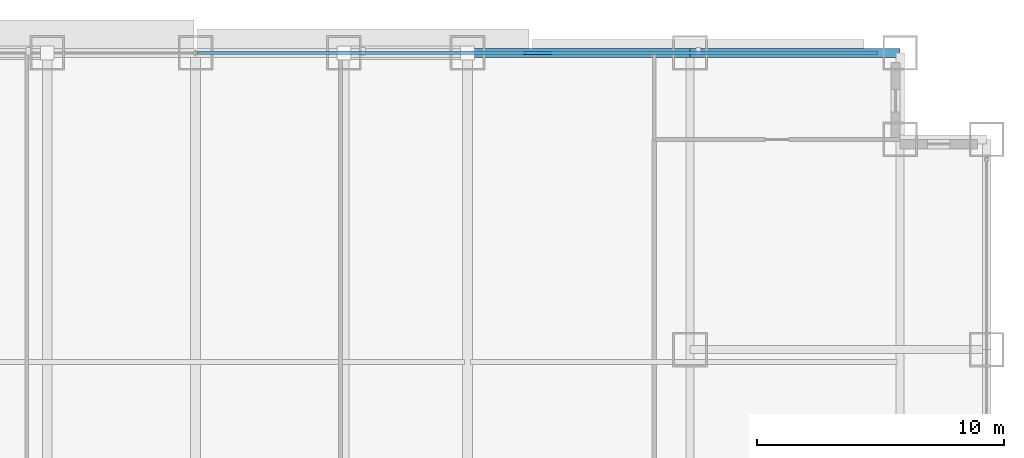
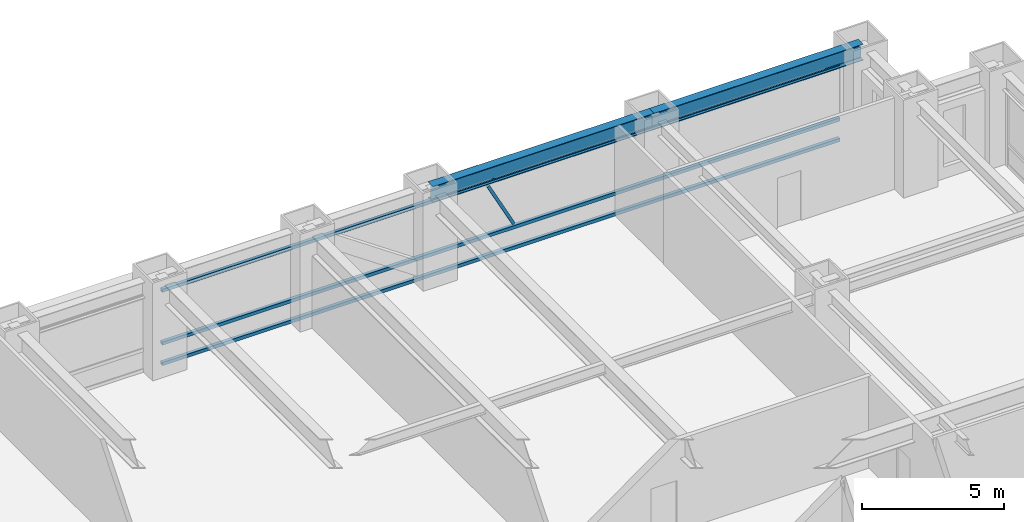
# One storey, part 20 of 32: 4 members, 2 beams, 1 element without a shape of its own.
"""IFC4 building model written with IfcOpenShell, lengths in metres."""

import ifcopenshell
import ifcopenshell.guid

model = None  # the IFC model being written
_history = None  # IfcOwnerHistory: only IFC2X3 demands one
_inside = {}  # id of a spatial element -> (the spatial element, [elements in it])
_under = {}  # id of a project, library or spatial element -> (it, [spatial elements below it])
_declared = {}  # id of a project -> (the project, [libraries it declares])
_typed = {}  # id of a type object -> (the type object, [elements of that type])
_made_of = {}  # id of a material, layer set ... -> (it, [elements and type objects made of it])


def new_model(schema):
    """Start an empty IFC model of exactly this schema.

    Asked for "IFC4X3", IfcOpenShell would pick the latest addendum, in which some entities
    have other attributes; the version numbers below select the first issue.
    IFC2X3 requires an IfcOwnerHistory on every rooted entity: one is made here for all.
    """
    global model, _history
    if schema == "IFC4X3":
        model = ifcopenshell.file(schema_version=(4, 3, 0, 0))
    else:
        model = ifcopenshell.file(schema=schema)
    _inside.clear()
    _under.clear()
    _declared.clear()
    _typed.clear()
    _made_of.clear()
    _history = None
    if model.schema == "IFC2X3":
        org = make("IfcOrganization", Name="unknown")
        user = make(
            "IfcPersonAndOrganization",
            ThePerson=make("IfcPerson", FamilyName="unknown"),
            TheOrganization=org,
        )
        app = make(
            "IfcApplication",
            ApplicationDeveloper=org,
            Version="unknown",
            ApplicationFullName="unknown",
            ApplicationIdentifier="unknown",
        )
        _history = make(
            "IfcOwnerHistory",
            OwningUser=user,
            OwningApplication=app,
            ChangeAction="ADDED",
            CreationDate=0,
        )
    return model


def make(cls, **values):
    """One entity of the class cls with the attributes given. An attribute that is None is left unset."""
    return model.create_entity(
        cls, **{name: value for name, value in values.items() if value is not None}
    )


def rooted(cls, **values):
    """An entity with a GlobalId (a new one), such as an element, a storey or a relation."""
    return make(cls, GlobalId=ifcopenshell.guid.new(), OwnerHistory=_history, **values)


def si_unit(unit_type, name, prefix=None):
    """IfcSIUnit, for example si_unit("LENGTHUNIT", "METRE", prefix="MILLI")."""
    return make("IfcSIUnit", UnitType=unit_type, Prefix=prefix, Name=name)


def assignment(units):
    """IfcUnitAssignment: the units of a project."""
    return None if units is None else make("IfcUnitAssignment", Units=units)


def point(xyz):
    """IfcCartesianPoint."""
    return None if xyz is None else make("IfcCartesianPoint", Coordinates=xyz)


def direction(xyz):
    """IfcDirection."""
    return None if xyz is None else make("IfcDirection", DirectionRatios=xyz)


def frame(location, z_axis=None, x_axis=None):
    """IfcAxis2Placement3D, a coordinate frame: its origin and axes. An axis left out is left unset."""
    return make(
        "IfcAxis2Placement3D",
        Location=point(location),
        Axis=direction(z_axis),
        RefDirection=direction(x_axis),
    )


def frame_2d(location, x_axis=None):
    """IfcAxis2Placement2D, a coordinate frame in the plane: its origin and x axis."""
    return make(
        "IfcAxis2Placement2D", Location=point(location), RefDirection=direction(x_axis)
    )


def origin():
    """The frame at (0, 0, 0) with its axes left unset."""
    return frame((0.0, 0.0, 0.0))


def origin_2d():
    """The frame at (0, 0) in the plane with its x axis left unset."""
    return frame_2d((0.0, 0.0))


def place(relative_to, where):
    """IfcLocalPlacement: puts the frame where relative to a parent placement (None: the world)."""
    return make(
        "IfcLocalPlacement", PlacementRelTo=relative_to, RelativePlacement=where
    )


def context(
    kind, dimensions, precision=None, world=None, true_north=None, identifier=None
):
    """IfcGeometricRepresentationContext, for example the 3D "Model" context."""
    return make(
        "IfcGeometricRepresentationContext",
        ContextIdentifier=identifier,
        ContextType=kind,
        CoordinateSpaceDimension=dimensions,
        Precision=precision,
        WorldCoordinateSystem=world,
        TrueNorth=true_north,
    )


def subcontext(parent, identifier, kind, view, scale=None):
    """IfcGeometricRepresentationSubContext, for example "Body" below "Model"."""
    return make(
        "IfcGeometricRepresentationSubContext",
        ContextIdentifier=identifier,
        ContextType=kind,
        ParentContext=parent,
        TargetScale=scale,
        TargetView=view,
    )


def project(units=None, contexts=None):
    """IfcProject with its units and contexts."""
    return rooted(
        "IfcProject",
        Name="project",
        RepresentationContexts=contexts,
        UnitsInContext=assignment(units),
    )


def spatial(cls, under=None, at=None, **own):
    """A site, building, storey or space (cls), placed at a placement, below another one or the project."""
    s = rooted(cls, ObjectPlacement=at, **own)
    if under is not None:
        _under.setdefault(under.id(), (under, []))[1].append(s)
    return s


def profile(cls, at=None, kind="AREA", **sizes):
    """A parametric profile (cls). Its sizes go by their IFC names, for example OverallWidth=200.0."""
    return make(cls, ProfileType=kind, Position=at, **sizes)


def hollow_rectangle(**sizes):
    """IfcRectangleHollowProfileDef."""
    return profile("IfcRectangleHollowProfileDef", **sizes)


def i_section(**sizes):
    """IfcIShapeProfileDef."""
    return profile("IfcIShapeProfileDef", **sizes)


def extrude(swept, where, along, depth):
    """IfcExtrudedAreaSolid: the profile swept, set in the frame where, extruded along a direction by depth."""
    return make(
        "IfcExtrudedAreaSolid",
        SweptArea=swept,
        Position=where,
        ExtrudedDirection=direction(along),
        Depth=depth,
    )


def shape(context_of_items, identifier, shape_type, items):
    """IfcShapeRepresentation: the items that make up one representation, for example the "Body"."""
    return make(
        "IfcShapeRepresentation",
        ContextOfItems=context_of_items,
        RepresentationIdentifier=identifier,
        RepresentationType=shape_type,
        Items=items,
    )


def source(mapping_origin, context_of_items, identifier, shape_type, items):
    """IfcRepresentationMap: a shape defined once, which mapped items show again and again."""
    return make(
        "IfcRepresentationMap",
        MappingOrigin=mapping_origin,
        MappedRepresentation=shape(context_of_items, identifier, shape_type, items),
    )


def transform(
    local_origin,
    x_axis=None,
    y_axis=None,
    z_axis=None,
    scale=None,
    scale2=None,
    scale3=None,
    uniform=True,
):
    """IfcCartesianTransformationOperator3D, or its non-uniform kind. x_axis, y_axis, z_axis: its Axis1, 2, 3."""
    if uniform:
        return make(
            "IfcCartesianTransformationOperator3D",
            Axis1=direction(x_axis),
            Axis2=direction(y_axis),
            LocalOrigin=point(local_origin),
            Scale=scale,
            Axis3=direction(z_axis),
        )
    return make(
        "IfcCartesianTransformationOperator3DnonUniform",
        Axis1=direction(x_axis),
        Axis2=direction(y_axis),
        LocalOrigin=point(local_origin),
        Scale=scale,
        Axis3=direction(z_axis),
        Scale2=scale2,
        Scale3=scale3,
    )


def mapped(mapping_source, mapping_target):
    """IfcMappedItem: shows the shape of a source again, moved by a transform."""
    return make(
        "IfcMappedItem", MappingSource=mapping_source, MappingTarget=mapping_target
    )


def material(Name=None, Category=None):
    """IfcMaterial."""
    return make("IfcMaterial", Name=Name, Category=Category)


def material_profile(
    of_material, cross_section, Name=None, Category=None, Priority=None
):
    """IfcMaterialProfile: a cross section and its material."""
    return make(
        "IfcMaterialProfile",
        Name=Name,
        Material=of_material,
        Profile=cross_section,
        Priority=Priority,
        Category=Category,
    )


def profile_set(profiles, Name=None, composite=None):
    """IfcMaterialProfileSet."""
    return make(
        "IfcMaterialProfileSet",
        Name=Name,
        MaterialProfiles=profiles,
        CompositeProfile=composite,
    )


def made_of(thing, what):
    """Note that an element or type object is made of a material, layer set ...; save() writes the relation."""
    if what is not None:
        _made_of.setdefault(what.id(), (what, []))[1].append(thing)
    return thing


def type_object(cls, material=None, **own):
    """A type object (cls), such as IfcWallType, which elements share."""
    return made_of(rooted(cls, **own), material)


def element(
    cls,
    number,
    at=None,
    inside=None,
    cuts=None,
    type_object=None,
    material=None,
    context=None,
    identifier="Body",
    shape_type=None,
    held_by="IfcProductDefinitionShape",
    body=None,
    shapes=None,
    **own,
):
    """One element of the class cls, such as IfcWall. Its Tag is "e" and its number.

    at: its placement. inside: the storey or other place that contains it. cuts: it is an
    opening in that element (IfcRelVoidsElement). A single representation is given by context,
    identifier, shape_type and body (its items); several are given by shapes. held_by: the class
    of the entity that holds the representations. save() writes the other relations.
    """
    e = rooted(cls, Tag="e%d" % number, ObjectPlacement=at, **own)
    if body is not None:
        shapes = [shape(context, identifier, shape_type, body)]
    if shapes is not None:
        e.Representation = make(held_by, Representations=shapes)
    if inside is not None:
        _inside.setdefault(inside.id(), (inside, []))[1].append(e)
    if cuts is not None:
        rooted(
            "IfcRelVoidsElement", RelatingBuildingElement=cuts, RelatedOpeningElement=e
        )
    if type_object is not None:
        _typed.setdefault(type_object.id(), (type_object, []))[1].append(e)
    return made_of(e, material)


def aggregate(whole, parts):
    """IfcRelAggregates: a whole, such as a stair, and the parts it consists of."""
    return rooted("IfcRelAggregates", RelatingObject=whole, RelatedObjects=parts)


def save(model, path):
    """Write the relations noted so far, then the file.

    IfcRelAggregates (storeys below a building ...), IfcRelContainedInSpatialStructure (elements
    in a storey), IfcRelDefinesByType, IfcRelAssociatesMaterial and IfcRelDeclares: one each for
    every whole, place, type object, material and project.
    """
    for whole, parts in _under.values():
        aggregate(whole, parts)
    for where, things in _inside.values():
        rooted(
            "IfcRelContainedInSpatialStructure",
            RelatedElements=things,
            RelatingStructure=where,
        )
    for kind, things in _typed.values():
        rooted("IfcRelDefinesByType", RelatedObjects=things, RelatingType=kind)
    for what, things in _made_of.values():
        rooted("IfcRelAssociatesMaterial", RelatedObjects=things, RelatingMaterial=what)
    for by, libraries in _declared.values():
        rooted("IfcRelDeclares", RelatingContext=by, RelatedDefinitions=libraries)
    model.write(path)


model = new_model("IFC4")

# Units and contexts
model_context = context("Model", 3, precision=1e-05, world=origin(), true_north=direction((0.0, 1.0)))
body_context = subcontext(model_context, "Body", "Model", "MODEL_VIEW")
ifc_project = project(units=[si_unit("LENGTHUNIT", "METRE"), si_unit("AREAUNIT", "SQUARE_METRE"), si_unit("VOLUMEUNIT", "CUBIC_METRE"), si_unit("PLANEANGLEUNIT", "RADIAN"), si_unit("MASSUNIT", "GRAM", prefix="KILO")], contexts=[model_context])

# Site, building, storey
site_placement = place(None, origin())
site = spatial("IfcSite", under=ifc_project, at=site_placement, CompositionType="ELEMENT")
building_placement = place(site_placement, origin())
building = spatial("IfcBuilding", under=site, at=building_placement, Name="Khorayat Bourse Tower", CompositionType="ELEMENT")
storey_placement = place(building_placement, frame((0.0, 0.0, 70.39990234375)))
storey = spatial("IfcBuildingStorey", under=building, at=storey_placement, Name="L15", CompositionType="ELEMENT", Elevation=70.39990234375)

# Beams
ifc_material_1 = material(Name="Steel ASTM A992 Grade 50", Category="steel")
ifc_material_profile_1 = material_profile(ifc_material_1, i_section(OverallWidth=0.35498046875, OverallDepth=0.695068359375, WebThickness=0.015380859375, FlangeThickness=0.02490234375, FilletRadius=0.01806640625, at=origin_2d()), Name="W690X217")
ifc_profile_set_1 = profile_set([ifc_material_profile_1], Name="Steel ASTM A992 Grade 50")
beam_type = type_object("IfcBeamType", Name="BM-SPAN-690", PredefinedType="SPANDREL", material=ifc_profile_set_1)
shared_shape_1 = source(origin(), body_context, "Body", "SweptSolid", [
    extrude(i_section(OverallWidth=0.35498046875, OverallDepth=0.695068359375, WebThickness=0.015380859375, FlangeThickness=0.02490234375, FilletRadius=0.01806640625, at=origin_2d()), origin(), (0.0, 0.0, 1.0), 8.5),
])
beam_1_placement = place(storey_placement, frame((20.0, 32.0, 3.592529296875), z_axis=(1.0, 0.0, 0.0), x_axis=(0.0, 1.0, 0.0)))
element("IfcBeam", 1, at=beam_1_placement, inside=storey, type_object=beam_type, Name="L15 BM-SPAN-690 BM-L15-SPN-044", PredefinedType="SPANDREL", context=body_context, shape_type="MappedRepresentation", body=[
    mapped(shared_shape_1, transform((0.0, 0.0, 0.0), scale=1.0)),
])
shared_shape_2 = source(origin(), body_context, "Body", "SweptSolid", [
    extrude(i_section(OverallWidth=0.35498046875, OverallDepth=0.695068359375, WebThickness=0.015380859375, FlangeThickness=0.02490234375, FilletRadius=0.01806640625, at=origin_2d()), origin(), (0.0, 0.0, 1.0), 9.0),
])
beam_2_placement = place(storey_placement, frame((11.0, 32.0, 3.592529296875), z_axis=(1.0, 0.0, 0.0), x_axis=(0.0, 1.0, 0.0)))
element("IfcBeam", 2, at=beam_2_placement, inside=storey, type_object=beam_type, Name="L15 BM-SPAN-690 BM-L15-SPN-045", PredefinedType="SPANDREL", context=body_context, shape_type="MappedRepresentation", body=[
    mapped(shared_shape_2, transform((0.0, 0.0, 0.0), scale=1.0)),
])

# Curtain wall, members
ifc_material_2 = material(Name="Aluminium EN AW-6063 T6", Category="aluminium")
curtain_wall_type = type_object("IfcCurtainWallType", Name="CW-SYS-02", PredefinedType="NOTDEFINED", material=ifc_material_2)
curtain_wall_placement = place(storey_placement, origin())
curtain_wall = element("IfcCurtainWall", 3, at=curtain_wall_placement, inside=storey, type_object=curtain_wall_type, Name="L15 Curtain Wall CW-L15-N1", PredefinedType="NOTDEFINED")
ifc_material_profile_2 = material_profile(ifc_material_2, hollow_rectangle(XDim=0.1201171875, YDim=0.1201171875, WallThickness=0.0048828125, at=origin_2d()), Name="ALU 120x120x5")
ifc_profile_set_2 = profile_set([ifc_material_profile_2], Name="Aluminium EN AW-6063 T6")
member_type_1 = type_object("IfcMemberType", Name="CWM-DIAG-120", PredefinedType="MULLION", material=ifc_profile_set_2)
shared_shape_3 = source(origin(), body_context, "Body", "SweptSolid", [
    extrude(hollow_rectangle(XDim=0.1201171875, YDim=0.1201171875, WallThickness=0.0048828125, at=origin_2d()), origin(), (0.0, 0.0, 1.0), 2.22607421875),
])
member_1_placement = place(storey_placement, frame((14.3583984375, 32.0, 1.10009765625), z_axis=(-0.465759992596, 0.0, 0.884911085532), x_axis=(0.0, -1.0, 0.0)))
member_1 = element("IfcMember", 4, at=member_1_placement, type_object=member_type_1, Name="CW-L15-N1 Faceted Diagonal Mullion 2", PredefinedType="MULLION", context=body_context, shape_type="MappedRepresentation", body=[
    mapped(shared_shape_3, transform((0.0, 0.0, 0.0), scale=1.0)),
])
ifc_material_profile_3 = material_profile(ifc_material_2, hollow_rectangle(XDim=0.139892578125, YDim=0.139892578125, WallThickness=0.006103515625, at=origin_2d()), Name="ALU 140x140x6")
ifc_profile_set_3 = profile_set([ifc_material_profile_3], Name="Aluminium EN AW-6063 T6")
member_type_2 = type_object("IfcMemberType", Name="CWT-HORZ-140", PredefinedType="USERDEFINED", material=ifc_profile_set_3)
shared_shape_4 = source(origin(), body_context, "Body", "SweptSolid", [
    extrude(hollow_rectangle(XDim=0.139892578125, YDim=0.139892578125, WallThickness=0.006103515625, at=origin_2d()), origin(), (0.0, 0.0, 1.0), 27.5400390625),
])
member_2_placement = place(storey_placement, frame((0.070068359375, 32.0, 0.070068359375), z_axis=(1.0, 0.0, 0.0), x_axis=(0.0, 1.0, 0.0)))
member_2 = element("IfcMember", 5, at=member_2_placement, type_object=member_type_2, Name="CW-L15-N1 Horizontal Transom 2-1", ObjectType="TRANSOM", PredefinedType="USERDEFINED", context=body_context, shape_type="MappedRepresentation", body=[
    mapped(shared_shape_4, transform((0.0, 0.0, 0.0), scale=1.0)),
])
member_3_placement = place(storey_placement, frame((0.070068359375, 32.0, 0.9501953125), z_axis=(1.0, 0.0, 0.0), x_axis=(0.0, 1.0, 0.0)))
member_3 = element("IfcMember", 6, at=member_3_placement, type_object=member_type_2, Name="CW-L15-N1 Horizontal Transom 2-2", ObjectType="TRANSOM", PredefinedType="USERDEFINED", context=body_context, shape_type="MappedRepresentation", body=[
    mapped(shared_shape_4, transform((0.0, 0.0, 0.0), scale=1.0)),
])
member_4_placement = place(storey_placement, frame((0.070068359375, 32.0, 3.22021484375), z_axis=(1.0, 0.0, 0.0), x_axis=(0.0, 1.0, 0.0)))
member_4 = element("IfcMember", 7, at=member_4_placement, type_object=member_type_2, Name="CW-L15-N1 Horizontal Transom 2-3", ObjectType="TRANSOM", PredefinedType="USERDEFINED", context=body_context, shape_type="MappedRepresentation", body=[
    mapped(shared_shape_4, transform((0.0, 0.0, 0.0), scale=1.0)),
])
aggregate(curtain_wall, [member_2, member_3, member_4, member_1])

save(model, "model.ifc")
